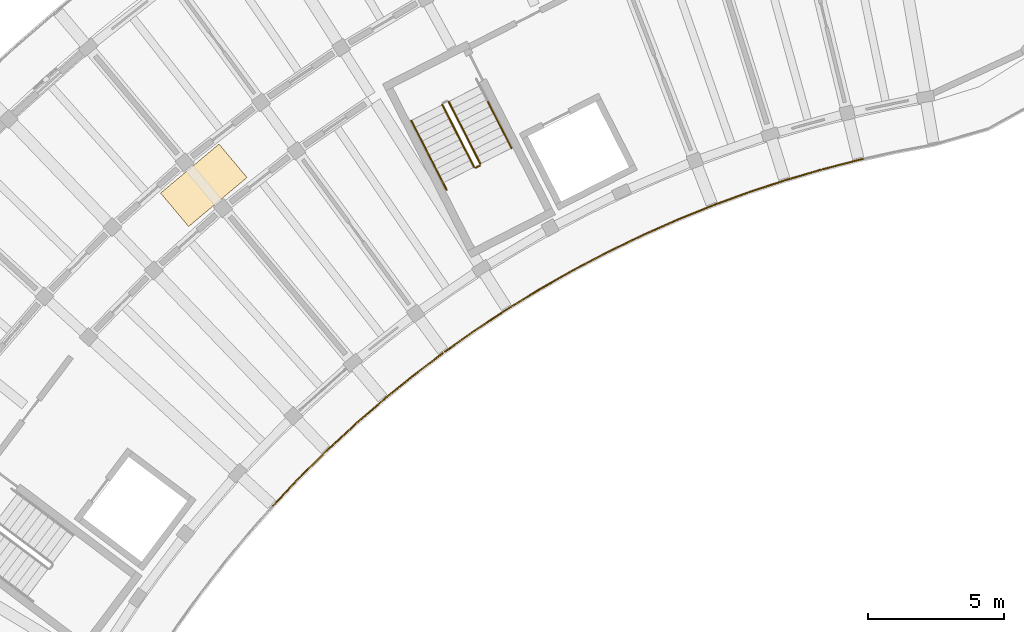
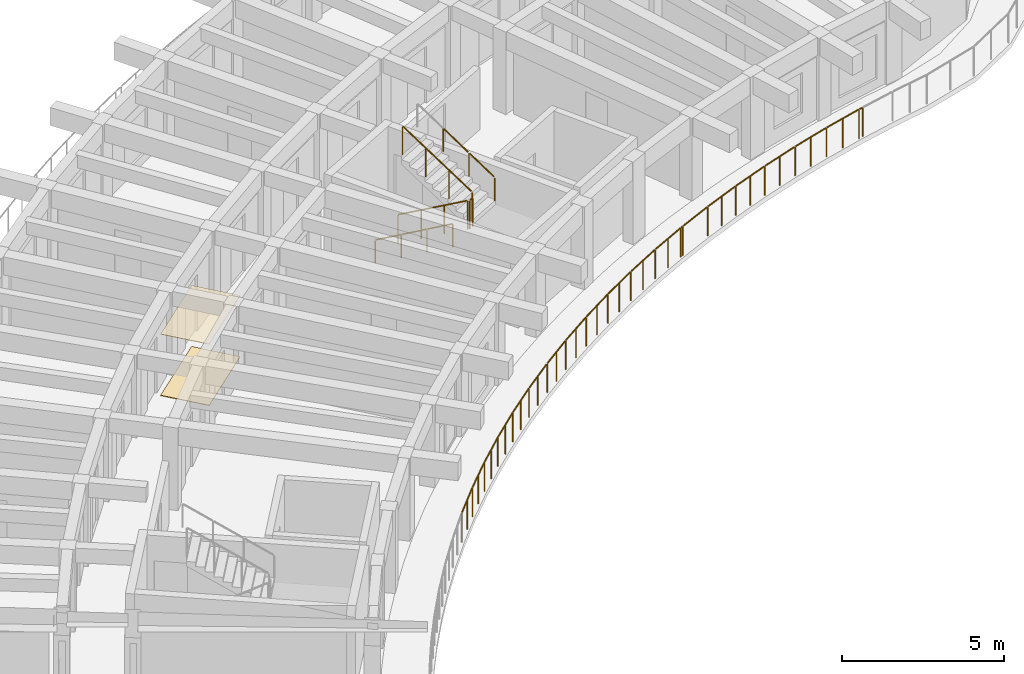
# One storey, part 54 of 62: 11 railings, 2 coverings.
"""IFC4 building model written with IfcOpenShell, lengths in metres."""

from ifc_helpers import new_model, si_unit, direction, frame, origin, origin_2d, place, context, subcontext, project, spatial, rectangle, circle, extrude, material, layer, layer_set, type_object, element, save


model = new_model("IFC4")

# Units and contexts
model_context = context("Model", 3, precision=1e-05, world=origin(), true_north=direction((0.0, 1.0)))
body_context = subcontext(model_context, "Body", "Model", "MODEL_VIEW")
ifc_project = project(units=[si_unit("LENGTHUNIT", "METRE"), si_unit("AREAUNIT", "SQUARE_METRE"), si_unit("VOLUMEUNIT", "CUBIC_METRE"), si_unit("PLANEANGLEUNIT", "RADIAN"), si_unit("MASSUNIT", "GRAM", prefix="KILO")], contexts=[model_context])

# Site, building, storey
site_placement = place(None, origin())
site = spatial("IfcSite", under=ifc_project, at=site_placement, CompositionType="ELEMENT")
building_placement = place(site_placement, origin())
building = spatial("IfcBuilding", under=site, at=building_placement, Name="Tanwirah Colonnade Gardens", CompositionType="ELEMENT")
storey_placement = place(building_placement, frame((0.0, 0.0, 32.360107421875)))
storey = spatial("IfcBuildingStorey", under=building, at=storey_placement, Name="L09", CompositionType="ELEMENT", Elevation=32.360107421875)

# Railings
ifc_material_1 = material(Name="Precast concrete C40/50", Category="concrete")
railing_type_1 = type_object("IfcRailingType", Name="BAL-EXT112", PredefinedType="BALUSTRADE", material=ifc_material_1)
railing_1_placement = place(storey_placement, frame((55.152099609375, 101.725830078125, 0.0)))
element("IfcRailing", 1, at=railing_1_placement, inside=storey, type_object=railing_type_1, Name="Block A L09 Balcony Ribbon Balustrade 2", PredefinedType="BALUSTRADE", context=body_context, shape_type="SweptSolid", body=[
    extrude(circle(Radius=0.02392578125, at=origin_2d()), frame((-0.030517578125, -0.0068359375, 1.09619140625), z_axis=(-0.976078091125, -0.217420238307, 0.0), x_axis=(0.217420238307, -0.976078091125, 0.0)), (0.0, 0.0, 1.0), 0.095703125),
    extrude(circle(Radius=0.02392578125, at=origin_2d()), frame((-0.187255859375, -0.04296875, 1.09619140625), z_axis=(-0.968157809477, -0.250340679771, 0.0), x_axis=(0.250340679771, -0.968157809477, 0.0)), (0.0, 0.0, 1.0), 1.341796875),
    extrude(circle(Radius=0.02392578125, at=origin_2d()), frame((-1.54931640625, -0.396240234375, 1.09619140625), z_axis=(-0.959362733044, -0.282175736812, 0.0), x_axis=(0.282175736812, -0.959362733044, 0.0)), (0.0, 0.0, 1.0), 1.341796875),
    extrude(circle(Radius=0.02392578125, at=origin_2d()), frame((-2.89892578125, -0.794189453125, 1.09619140625), z_axis=(-0.949531842797, -0.313670654533, 0.0), x_axis=(0.313670654533, -0.949531842797, 0.0)), (0.0, 0.0, 1.0), 1.341552734375),
    extrude(circle(Radius=0.02392578125, at=origin_2d()), frame((-4.234375, -1.236572265625, 1.09619140625), z_axis=(-0.93868698515, -0.344770567059, 0.0), x_axis=(0.344770567059, -0.93868698515, 0.0)), (0.0, 0.0, 1.0), 1.341796875),
    extrude(circle(Radius=0.02392578125, at=origin_2d()), frame((-5.5546875, -1.72265625, 1.09619140625), z_axis=(-0.92683738147, -0.375463005247, 0.0), x_axis=(0.375463005247, -0.92683738147, 0.0)), (0.0, 0.0, 1.0), 1.342041015625),
    extrude(circle(Radius=0.02392578125, at=origin_2d()), frame((-6.858154296875, -2.251953125, 1.09619140625), z_axis=(-0.913965852112, -0.405791105341, 0.0), x_axis=(0.405791105341, -0.913965852112, 0.0)), (0.0, 0.0, 1.0), 1.241943359375),
    extrude(circle(Radius=0.02099609375, at=origin_2d()), origin(), (0.0, 0.0, 1.0), 1.069091796875),
    extrude(circle(Radius=0.02099609375, at=origin_2d()), frame((-0.154541015625, -0.034423828125, 0.0)), (0.0, 0.0, 1.0), 1.069091796875),
    extrude(circle(Radius=0.02099609375, at=origin_2d()), frame((-0.8369140625, -0.2109375, 0.0)), (0.0, 0.0, 1.0), 1.069091796875),
    extrude(circle(Radius=0.02099609375, at=origin_2d()), frame((-1.5166015625, -0.38671875, 0.0)), (0.0, 0.0, 1.0), 1.069091796875),
    extrude(circle(Radius=0.02099609375, at=origin_2d()), frame((-2.19287109375, -0.58544921875, 0.0)), (0.0, 0.0, 1.0), 1.069091796875),
    extrude(circle(Radius=0.02099609375, at=origin_2d()), frame((-2.866455078125, -0.78369140625, 0.0)), (0.0, 0.0, 1.0), 1.069091796875),
    extrude(circle(Radius=0.02099609375, at=origin_2d()), frame((-3.53564453125, -1.004638671875, 0.0)), (0.0, 0.0, 1.0), 1.069091796875),
    extrude(circle(Radius=0.02099609375, at=origin_2d()), frame((-4.202392578125, -1.224853515625, 0.0)), (0.0, 0.0, 1.0), 1.069091796875),
    extrude(circle(Radius=0.02099609375, at=origin_2d()), frame((-4.8642578125, -1.4677734375, 0.0)), (0.0, 0.0, 1.0), 1.069091796875),
    extrude(circle(Radius=0.02099609375, at=origin_2d()), frame((-5.523193359375, -1.7099609375, 0.0)), (0.0, 0.0, 1.0), 1.069091796875),
    extrude(circle(Radius=0.02099609375, at=origin_2d()), frame((-6.176513671875, -1.974609375, 0.0)), (0.0, 0.0, 1.0), 1.069091796875),
    extrude(circle(Radius=0.02099609375, at=origin_2d()), frame((-6.827392578125, -2.23828125, 0.0)), (0.0, 0.0, 1.0), 1.069091796875),
    extrude(circle(Radius=0.02099609375, at=origin_2d()), frame((-8.021728515625, -2.7685546875, 0.0)), (0.0, 0.0, 1.0), 1.069091796875),
])
railing_2_placement = place(storey_placement, frame((47.13037109375, 98.957275390625, 0.0)))
element("IfcRailing", 2, at=railing_2_placement, inside=storey, type_object=railing_type_1, Name="Block A L09 Balcony Ribbon Balustrade 3", PredefinedType="BALUSTRADE", context=body_context, shape_type="SweptSolid", body=[
    extrude(circle(Radius=0.02392578125, at=origin_2d()), frame((-0.028564453125, -0.0126953125, 1.09619140625), z_axis=(-0.914413864953, -0.404780537553, 0.0), x_axis=(0.404780537553, -0.914413864953, 0.0)), (0.0, 0.0, 1.0), 0.03759765625),
    extrude(circle(Radius=0.02392578125, at=origin_2d()), frame((-0.121826171875, -0.055419921875, 1.09619140625), z_axis=(-0.900124070825, -0.43563362717, 0.0), x_axis=(0.43563362717, -0.900124070825, 0.0)), (0.0, 0.0, 1.0), 1.341796875),
    extrude(circle(Radius=0.02392578125, at=origin_2d()), frame((-1.3876953125, -0.66943359375, 1.09619140625), z_axis=(-0.885204649416, -0.465201814972, 0.0), x_axis=(0.465201814972, -0.885204649416, 0.0)), (0.0, 0.0, 1.0), 1.341796875),
    extrude(circle(Radius=0.02392578125, at=origin_2d()), frame((-2.6328125, -1.32470703125, 1.09619140625), z_axis=(-0.869342839865, -0.494209496848, 0.0), x_axis=(0.494209496848, -0.869342839865, 0.0)), (0.0, 0.0, 1.0), 1.342041015625),
    extrude(circle(Radius=0.02392578125, at=origin_2d()), frame((-3.85546875, -2.02099609375, 1.09619140625), z_axis=(-0.852623736113, -0.522525372223, 0.0), x_axis=(0.522525372223, -0.852623736113, 0.0)), (0.0, 0.0, 1.0), 1.342041015625),
    extrude(circle(Radius=0.02392578125, at=origin_2d()), frame((-5.0546875, -2.7568359375, 1.09619140625), z_axis=(-0.834927342507, -0.550360184547, 0.0), x_axis=(0.550360184547, -0.834927342507, 0.0)), (0.0, 0.0, 1.0), 1.341796875),
    extrude(circle(Radius=0.02392578125, at=origin_2d()), frame((-6.22900390625, -3.5322265625, 1.09619140625), z_axis=(-0.816316712005, -0.577604558242, 0.0), x_axis=(0.577604558242, -0.816316712005, 0.0)), (0.0, 0.0, 1.0), 1.2998046875),
    extrude(circle(Radius=0.02099609375, at=origin_2d()), origin(), (0.0, 0.0, 1.0), 1.069091796875),
    extrude(circle(Radius=0.02099609375, at=origin_2d()), frame((-0.091552734375, -0.04052734375, 0.0)), (0.0, 0.0, 1.0), 1.069091796875),
    extrude(circle(Radius=0.02099609375, at=origin_2d()), frame((-0.725830078125, -0.34765625, 0.0)), (0.0, 0.0, 1.0), 1.069091796875),
    extrude(circle(Radius=0.02099609375, at=origin_2d()), frame((-1.35791015625, -0.653564453125, 0.0)), (0.0, 0.0, 1.0), 1.069091796875),
    extrude(circle(Radius=0.02099609375, at=origin_2d()), frame((-1.981689453125, -0.9814453125, 0.0)), (0.0, 0.0, 1.0), 1.069091796875),
    extrude(circle(Radius=0.02099609375, at=origin_2d()), frame((-2.603271484375, -1.30810546875, 0.0)), (0.0, 0.0, 1.0), 1.069091796875),
    extrude(circle(Radius=0.02099609375, at=origin_2d()), frame((-3.21630859375, -1.65625, 0.0)), (0.0, 0.0, 1.0), 1.069091796875),
    extrude(circle(Radius=0.02099609375, at=origin_2d()), frame((-3.82666015625, -2.00341796875, 0.0)), (0.0, 0.0, 1.0), 1.069091796875),
    extrude(circle(Radius=0.02099609375, at=origin_2d()), frame((-4.427734375, -2.37158203125, 0.0)), (0.0, 0.0, 1.0), 1.069091796875),
    extrude(circle(Radius=0.02099609375, at=origin_2d()), frame((-5.0263671875, -2.738525390625, 0.0)), (0.0, 0.0, 1.0), 1.069091796875),
    extrude(circle(Radius=0.02099609375, at=origin_2d()), frame((-5.61474609375, -3.126220703125, 0.0)), (0.0, 0.0, 1.0), 1.069091796875),
    extrude(circle(Radius=0.02099609375, at=origin_2d()), frame((-6.201171875, -3.5126953125, 0.0)), (0.0, 0.0, 1.0), 1.069091796875),
    extrude(circle(Radius=0.02099609375, at=origin_2d()), frame((-6.75927734375, -3.90771484375, 0.0)), (0.0, 0.0, 1.0), 1.069091796875),
    extrude(circle(Radius=0.02099609375, at=origin_2d()), frame((-7.3154296875, -4.301025390625, 0.0)), (0.0, 0.0, 1.0), 1.069091796875),
])
railing_3_placement = place(storey_placement, frame((39.81494140625, 94.65625, 0.0)))
element("IfcRailing", 3, at=railing_3_placement, inside=storey, type_object=railing_type_1, Name="Block A L09 Balcony Ribbon Balustrade 4", PredefinedType="BALUSTRADE", context=body_context, shape_type="SweptSolid", body=[
    extrude(circle(Radius=0.02392578125, at=origin_2d()), frame((-0.061279296875, -0.04443359375, 1.09619140625), z_axis=(-0.796818244666, -0.604219070344, 0.0), x_axis=(0.604219070344, -0.796818244666, 0.0)), (0.0, 0.0, 1.0), 1.342041015625),
    extrude(circle(Radius=0.02392578125, at=origin_2d()), frame((-1.181640625, -0.8955078125, 1.09619140625), z_axis=(-0.776491375378, -0.630127879056, 0.0), x_axis=(0.630127879056, -0.776491375378, 0.0)), (0.0, 0.0, 1.0), 1.342041015625),
    extrude(circle(Radius=0.02392578125, at=origin_2d()), frame((-2.273681640625, -1.782958984375, 1.09619140625), z_axis=(-0.755402192857, -0.655261418845, 0.0), x_axis=(0.655261418845, -0.755402192857, 0.0)), (0.0, 0.0, 1.0), 1.341796875),
    extrude(circle(Radius=0.02392578125, at=origin_2d()), frame((-3.335693359375, -2.70556640625, 1.09619140625), z_axis=(-0.73336899588, -0.679830799451, 0.0), x_axis=(0.679830799451, -0.73336899588, 0.0)), (0.0, 0.0, 1.0), 1.342041015625),
    extrude(circle(Radius=0.02392578125, at=origin_2d()), frame((-4.366943359375, -3.662841796875, 1.09619140625), z_axis=(-0.710488556831, -0.703708754111, 0.0), x_axis=(0.703708754111, -0.710488556831, 0.0)), (0.0, 0.0, 1.0), 1.341796875),
    extrude(circle(Radius=0.02392578125, at=origin_2d()), frame((-5.36572265625, -4.65380859375, 1.09619140625), z_axis=(-0.687011382404, -0.726646654466, 0.0), x_axis=(0.726646654466, -0.687011382404, 0.0)), (0.0, 0.0, 1.0), 1.341796875),
    extrude(circle(Radius=0.02099609375, at=origin_2d()), origin(), (0.0, 0.0, 1.0), 1.069091796875),
    extrude(circle(Radius=0.02099609375, at=origin_2d()), frame((-0.595947265625, -0.449951171875, 0.0)), (0.0, 0.0, 1.0), 1.069091796875),
    extrude(circle(Radius=0.02099609375, at=origin_2d()), frame((-1.155517578125, -0.874267578125, 0.0)), (0.0, 0.0, 1.0), 1.069091796875),
    extrude(circle(Radius=0.02099609375, at=origin_2d()), frame((-1.70263671875, -1.318359375, 0.0)), (0.0, 0.0, 1.0), 1.069091796875),
    extrude(circle(Radius=0.02099609375, at=origin_2d()), frame((-2.248046875, -1.7607421875, 0.0)), (0.0, 0.0, 1.0), 1.069091796875),
    extrude(circle(Radius=0.02099609375, at=origin_2d()), frame((-2.7802734375, -2.22265625, 0.0)), (0.0, 0.0, 1.0), 1.069091796875),
    extrude(circle(Radius=0.02099609375, at=origin_2d()), frame((-3.310791015625, -2.6826171875, 0.0)), (0.0, 0.0, 1.0), 1.069091796875),
    extrude(circle(Radius=0.02099609375, at=origin_2d()), frame((-3.82763671875, -3.16162109375, 0.0)), (0.0, 0.0, 1.0), 1.069091796875),
    extrude(circle(Radius=0.02099609375, at=origin_2d()), frame((-4.3427734375, -3.63916015625, 0.0)), (0.0, 0.0, 1.0), 1.069091796875),
    extrude(circle(Radius=0.02099609375, at=origin_2d()), frame((-4.84375, -4.135009765625, 0.0)), (0.0, 0.0, 1.0), 1.069091796875),
    extrude(circle(Radius=0.02099609375, at=origin_2d()), frame((-5.342529296875, -4.629150390625, 0.0)), (0.0, 0.0, 1.0), 1.069091796875),
    extrude(circle(Radius=0.02099609375, at=origin_2d()), frame((-5.82666015625, -5.141357421875, 0.0)), (0.0, 0.0, 1.0), 1.069091796875),
    extrude(circle(Radius=0.02099609375, at=origin_2d()), frame((-6.30908203125, -5.651611328125, 0.0)), (0.0, 0.0, 1.0), 1.069091796875),
])

# Coverings
ifc_material_2 = material(Name="Acoustic perforated gypsum ceiling board")
ifc_layer_1 = layer(ifc_material_2, 0.014892578125)
ifc_layer_set_1 = layer_set([ifc_layer_1], Name="Acoustic perforated gypsum ceiling board")
covering_type_1 = type_object("IfcCoveringType", Name="COV-CEIL15", PredefinedType="CEILING", material=ifc_layer_set_1)
covering_1_placement = place(storey_placement, frame((30.96435546875, 100.761962890625, 2.3125), z_axis=(0.0, 0.0, 1.0), x_axis=(-0.766044443119, -0.642787609687, 0.0)))
element("IfcCovering", 4, at=covering_1_placement, inside=storey, type_object=covering_type_1, Name="Block A L09 Corridor Acoustic Ceiling", PredefinedType="CEILING", context=body_context, shape_type="SweptSolid", body=[
    extrude(rectangle(XDim=2.800048828125, YDim=1.60009765625, at=origin_2d()), origin(), (0.0, 0.0, 1.0), 0.014892578125),
])
ifc_material_3 = material(Name="Honed Abu Dhabi limestone terrazzo flooring", Category="masonry")
ifc_layer_2 = layer(ifc_material_3, 0.02001953125)
ifc_layer_set_2 = layer_set([ifc_layer_2], Name="Honed Abu Dhabi limestone terrazzo flooring")
covering_type_2 = type_object("IfcCoveringType", Name="COV-FLR20", PredefinedType="FLOORING", material=ifc_layer_set_2)
covering_2_placement = place(storey_placement, frame((30.96435546875, 100.761962890625, 0.0), z_axis=(0.0, 0.0, 1.0), x_axis=(-0.766044443119, -0.642787609687, 0.0)))
element("IfcCovering", 5, at=covering_2_placement, inside=storey, type_object=covering_type_2, Name="Block A L09 Corridor Terrazzo Flooring", PredefinedType="FLOORING", context=body_context, shape_type="SweptSolid", body=[
    extrude(rectangle(XDim=2.800048828125, YDim=1.60009765625, at=origin_2d()), origin(), (0.0, 0.0, 1.0), 0.02001953125),
])

# Railings
ifc_material_4 = material(Name="Powder-coated galvanized steel", Category="steel")
railing_type_2 = type_object("IfcRailingType", Name="GRD-ST110", PredefinedType="GUARDRAIL", material=ifc_material_4)
railing_4_placement = place(storey_placement, frame((39.718994140625, 103.715576171875, 0.16796875)))
element("IfcRailing", 6, at=railing_4_placement, inside=storey, type_object=railing_type_2, Name="L09 ST-A1 stair guard 1", PredefinedType="GUARDRAIL", context=body_context, shape_type="SweptSolid", body=[
    extrude(circle(Radius=0.02392578125, at=origin_2d()), frame((0.01220703125, -0.02392578125, 1.092041015625), z_axis=(0.391052831089, -0.767591854021, 0.507819287678), x_axis=(0.891032232724, 0.453940040365, 0.0)), (0.0, 0.0, 1.0), 2.914794921875),
    extrude(circle(Radius=0.02099609375, at=origin_2d()), origin(), (0.0, 0.0, 1.0), 1.049072265625),
    extrude(circle(Radius=0.02099609375, at=origin_2d()), frame((0.38818359375, -0.76171875, 0.50390625)), (0.0, 0.0, 1.0), 1.049072265625),
    extrude(circle(Radius=0.02099609375, at=origin_2d()), frame((0.776123046875, -1.523681640625, 1.008056640625)), (0.0, 0.0, 1.0), 1.049072265625),
    extrude(circle(Radius=0.02099609375, at=origin_2d()), frame((1.164306640625, -2.285400390625, 1.511962890625)), (0.0, 0.0, 1.0), 1.049072265625),
])
railing_5_placement = place(storey_placement, frame((40.95068359375, 101.408203125, 1.679931640625)))
element("IfcRailing", 7, at=railing_5_placement, inside=storey, type_object=railing_type_2, Name="L09 ST-A1 stair guard 2", PredefinedType="GUARDRAIL", context=body_context, shape_type="SweptSolid", body=[
    extrude(circle(Radius=0.02392578125, at=origin_2d()), frame((0.02783203125, 0.01416015625, 1.076171875), z_axis=(0.89073666619, 0.4545197372, 0.0), x_axis=(-0.4545197372, 0.89073666619, 0.0)), (0.0, 0.0, 1.0), 0.09765625),
    extrude(circle(Radius=0.02099609375, at=origin_2d()), origin(), (0.0, 0.0, 1.0), 1.049072265625),
    extrude(circle(Radius=0.02099609375, at=origin_2d()), frame((0.142578125, 0.07275390625, 0.0)), (0.0, 0.0, 1.0), 1.049072265625),
])
railing_6_placement = place(storey_placement, frame((41.114990234375, 101.548095703125, 1.847900390625)))
element("IfcRailing", 8, at=railing_6_placement, inside=storey, type_object=railing_type_2, Name="L09 ST-A1 stair guard 3", PredefinedType="GUARDRAIL", context=body_context, shape_type="SweptSolid", body=[
    extrude(circle(Radius=0.02392578125, at=origin_2d()), frame((-0.01220703125, 0.02392578125, 1.092041015625), z_axis=(-0.3911222872, 0.767567239095, 0.507803003067), x_axis=(-0.890993730975, -0.45401560696, 0.0)), (0.0, 0.0, 1.0), 2.9150390625),
    extrude(circle(Radius=0.02099609375, at=origin_2d()), origin(), (0.0, 0.0, 1.0), 1.049072265625),
    extrude(circle(Radius=0.02099609375, at=origin_2d()), frame((-0.38818359375, 0.76171875, 0.50390625)), (0.0, 0.0, 1.0), 1.049072265625),
    extrude(circle(Radius=0.02099609375, at=origin_2d()), frame((-0.7763671875, 1.523681640625, 1.008056640625)), (0.0, 0.0, 1.0), 1.049072265625),
    extrude(circle(Radius=0.02099609375, at=origin_2d()), frame((-1.16455078125, 2.285400390625, 1.511962890625)), (0.0, 0.0, 1.0), 1.049072265625),
])
ifc_material_5 = material(Name="Brushed bronze stainless steel", Category="steel")
railing_type_3 = type_object("IfcRailingType", Name="HR-ST090", PredefinedType="HANDRAIL", material=ifc_material_5)
railing_7_placement = place(storey_placement, frame((38.578369140625, 103.134521484375, 0.16796875)))
element("IfcRailing", 9, at=railing_7_placement, inside=storey, type_object=railing_type_3, Name="L09 ST-A1 stair handrail 1", PredefinedType="HANDRAIL", context=body_context, shape_type="SweptSolid", body=[
    extrude(circle(Radius=0.02392578125, at=origin_2d()), frame((0.01220703125, -0.02392578125, 0.891845703125), z_axis=(0.390051618152, -0.765534245474, 0.511680617361), x_axis=(0.891010084603, 0.453983511965, 0.0)), (0.0, 0.0, 1.0), 1.04345703125),
    extrude(circle(Radius=0.02099609375, at=origin_2d()), origin(), (0.0, 0.0, 1.0), 0.848876953125),
    extrude(circle(Radius=0.02099609375, at=origin_2d()), frame((0.431396484375, -0.8466796875, 0.56591796875)), (0.0, 0.0, 1.0), 0.848876953125),
])
railing_8_placement = place(storey_placement, frame((39.009765625, 102.287841796875, 0.73388671875)))
element("IfcRailing", 10, at=railing_8_placement, inside=storey, type_object=railing_type_3, Name="L09 ST-A1 stair handrail 2", PredefinedType="HANDRAIL", context=body_context, shape_type="SweptSolid", body=[
    extrude(circle(Radius=0.02392578125, at=origin_2d()), frame((0.01220703125, -0.02392578125, 0.891845703125), z_axis=(0.38993033558, -0.765508761867, 0.511811165275), x_axis=(0.891061070925, 0.453883429839, 0.0)), (0.0, 0.0, 1.0), 1.043212890625),
    extrude(circle(Radius=0.02099609375, at=origin_2d()), origin(), (0.0, 0.0, 1.0), 0.848876953125),
    extrude(circle(Radius=0.02099609375, at=origin_2d()), frame((0.43115234375, -0.846435546875, 0.56591796875)), (0.0, 0.0, 1.0), 0.848876953125),
])
railing_9_placement = place(storey_placement, frame((39.44091796875, 101.44140625, 1.2998046875)))
element("IfcRailing", 11, at=railing_9_placement, inside=storey, type_object=railing_type_3, Name="L09 ST-A1 stair handrail 3", PredefinedType="HANDRAIL", context=body_context, shape_type="SweptSolid", body=[
    extrude(circle(Radius=0.02392578125, at=origin_2d()), frame((0.01220703125, -0.02392578125, 0.891845703125), z_axis=(0.390073458003, -0.765356354779, 0.511930022133), x_axis=(0.890957114254, 0.454087459154, 0.0)), (0.0, 0.0, 1.0), 1.04345703125),
    extrude(circle(Radius=0.02099609375, at=origin_2d()), origin(), (0.0, 0.0, 1.0), 0.848876953125),
    extrude(circle(Radius=0.02099609375, at=origin_2d()), frame((0.431396484375, -0.846435546875, 0.566162109375)), (0.0, 0.0, 1.0), 0.848876953125),
])
railing_10_placement = place(storey_placement, frame((42.255615234375, 102.129150390625, 1.847900390625)))
element("IfcRailing", 12, at=railing_10_placement, inside=storey, type_object=railing_type_3, Name="L09 ST-A1 stair handrail 4", PredefinedType="HANDRAIL", context=body_context, shape_type="SweptSolid", body=[
    extrude(circle(Radius=0.02392578125, at=origin_2d()), frame((-0.01220703125, 0.02392578125, 0.891845703125), z_axis=(-0.390117538533, 0.765442844423, 0.51176709356), x_axis=(-0.890957114254, -0.454087459154, 0.0)), (0.0, 0.0, 1.0), 1.043212890625),
    extrude(circle(Radius=0.02099609375, at=origin_2d()), origin(), (0.0, 0.0, 1.0), 0.848876953125),
    extrude(circle(Radius=0.02099609375, at=origin_2d()), frame((-0.431396484375, 0.846435546875, 0.56591796875)), (0.0, 0.0, 1.0), 0.848876953125),
])
railing_11_placement = place(storey_placement, frame((41.82421875, 102.9755859375, 2.413818359375)))
element("IfcRailing", 13, at=railing_11_placement, inside=storey, type_object=railing_type_3, Name="L09 ST-A1 stair handrail 5", PredefinedType="HANDRAIL", context=body_context, shape_type="SweptSolid", body=[
    extrude(circle(Radius=0.02392578125, at=origin_2d()), frame((-0.01220703125, 0.02392578125, 0.891845703125), z_axis=(-0.390007559961, 0.765447774728, 0.511843537946), x_axis=(-0.891010084603, -0.453983511965, 0.0)), (0.0, 0.0, 1.0), 1.043701171875),
    extrude(circle(Radius=0.02099609375, at=origin_2d()), origin(), (0.0, 0.0, 1.0), 0.848876953125),
    extrude(circle(Radius=0.02099609375, at=origin_2d()), frame((-0.431396484375, 0.8466796875, 0.566162109375)), (0.0, 0.0, 1.0), 0.848876953125),
])

save(model, "model.ifc")
